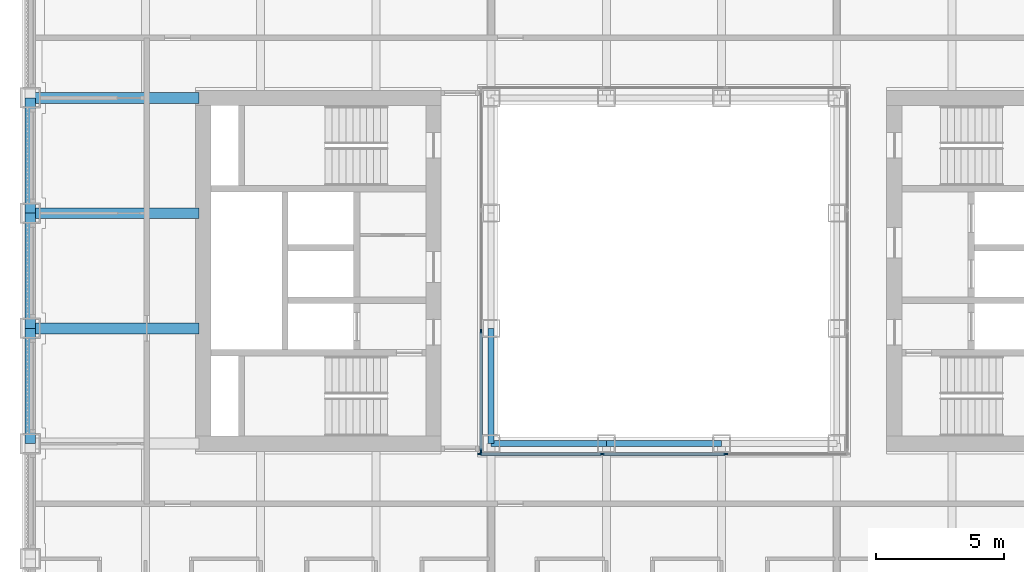
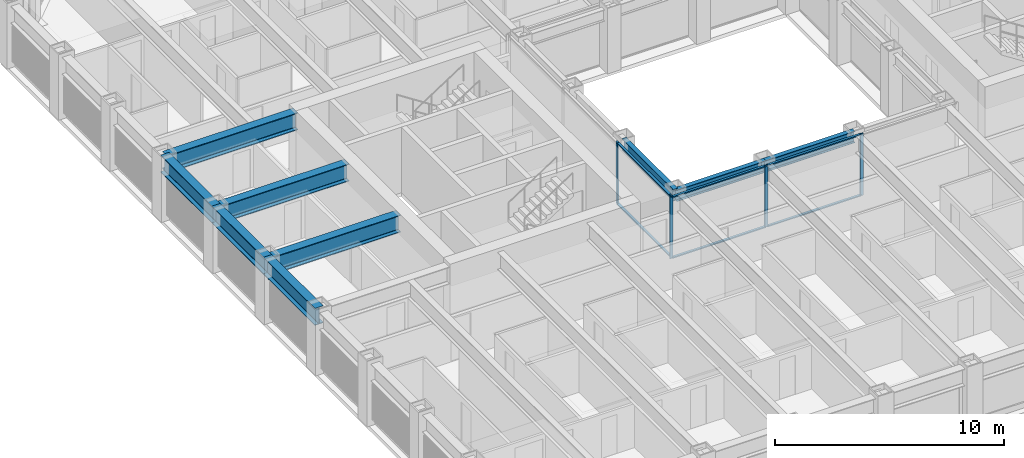
# One storey, part 3 of 21: 11 members, 9 beams, 2 elements without a shape of their own.
"""IFC4 building model written with IfcOpenShell, lengths in metres."""

from ifc_helpers import new_model, si_unit, direction, frame, origin, origin_2d, place, context, subcontext, project, spatial, rectangle, i_section, extrude, material, material_profile, profile_set, type_object, element, aggregate, save


model = new_model("IFC4")

# Units and contexts
model_context = context("Model", 3, precision=1e-05, world=origin(), true_north=direction((0.0, 1.0)))
body_context = subcontext(model_context, "Body", "Model", "MODEL_VIEW")
ifc_project = project(units=[si_unit("LENGTHUNIT", "METRE"), si_unit("AREAUNIT", "SQUARE_METRE"), si_unit("VOLUMEUNIT", "CUBIC_METRE"), si_unit("PLANEANGLEUNIT", "RADIAN"), si_unit("MASSUNIT", "GRAM", prefix="KILO")], contexts=[model_context])

# Site, building, storey
site_placement = place(None, origin())
site = spatial("IfcSite", under=ifc_project, at=site_placement, CompositionType="ELEMENT")
building_placement = place(site_placement, origin())
building = spatial("IfcBuilding", under=site, at=building_placement, Name="Msasa Ring Tower", CompositionType="ELEMENT")
storey_placement = place(building_placement, frame((0.0, 0.0, 96.5)))
storey = spatial("IfcBuildingStorey", under=building, at=storey_placement, Name="L25", CompositionType="ELEMENT", Elevation=96.5)

# Curtain wall, members
ifc_material_1 = material(Name="Aluminium curtain wall with clear glass", Category="aluminium")
curtain_wall_type = type_object("IfcCurtainWallType", Name="CW-W LIGHT WELL CURTAIN WALL", PredefinedType="NOTDEFINED", material=ifc_material_1)
curtain_wall_1_placement = place(storey_placement, origin())
curtain_wall_1 = element("IfcCurtainWall", 1, at=curtain_wall_1_placement, inside=storey, type_object=curtain_wall_type, Name="Light well curtain wall S L25", PredefinedType="NOTDEFINED")
ifc_material_2 = material(Name="Aluminium mullion", Category="aluminium")
ifc_material_profile_1 = material_profile(ifc_material_2, rectangle(XDim=0.06005859375, YDim=0.159912109375, at=origin_2d()), Name="AL 60x160")
ifc_profile_set_1 = profile_set([ifc_material_profile_1], Name="Aluminium mullion")
member_type_1 = type_object("IfcMemberType", Name="CW-W MULLION 60x160", PredefinedType="MULLION", material=ifc_profile_set_1)
member_1_placement = place(storey_placement, frame((-7.199951171875, -7.14990234375, 0.0), z_axis=(0.0, 0.0, 1.0), x_axis=(0.0, 1.0, 0.0)))
member_1 = element("IfcMember", 2, at=member_1_placement, type_object=member_type_1, Name="CW-W mullion 1", PredefinedType="MULLION", context=body_context, shape_type="SweptSolid", body=[
    extrude(rectangle(XDim=0.06005859375, YDim=0.159912109375, at=origin_2d()), origin(), (0.0, 0.0, 1.0), 3.300048828125),
])
member_2_placement = place(storey_placement, frame((-2.409912109375, -7.14990234375, 0.0), z_axis=(0.0, 0.0, 1.0), x_axis=(0.0, 1.0, 0.0)))
member_2 = element("IfcMember", 3, at=member_2_placement, type_object=member_type_1, Name="CW-W mullion 2", PredefinedType="MULLION", context=body_context, shape_type="SweptSolid", body=[
    extrude(rectangle(XDim=0.06005859375, YDim=0.159912109375, at=origin_2d()), origin(), (0.0, 0.0, 1.0), 3.300048828125),
])
member_3_placement = place(storey_placement, frame((2.409912109375, -7.14990234375, 0.0), z_axis=(0.0, 0.0, 1.0), x_axis=(0.0, 1.0, 0.0)))
member_3 = element("IfcMember", 4, at=member_3_placement, type_object=member_type_1, Name="CW-W mullion 3", PredefinedType="MULLION", context=body_context, shape_type="SweptSolid", body=[
    extrude(rectangle(XDim=0.06005859375, YDim=0.159912109375, at=origin_2d()), origin(), (0.0, 0.0, 1.0), 3.300048828125),
])

curtain_wall_2_placement = place(storey_placement, origin())
curtain_wall_2 = element("IfcCurtainWall", 5, at=curtain_wall_2_placement, inside=storey, type_object=curtain_wall_type, Name="Light well curtain wall W L25", PredefinedType="NOTDEFINED")
member_4_placement = place(storey_placement, frame((-7.14990234375, -7.0400390625, 0.0), z_axis=(0.0, 0.0, 1.0), x_axis=(-1.0, 0.0, 0.0)))
member_4 = element("IfcMember", 6, at=member_4_placement, type_object=member_type_1, Name="CW-W mullion 1", PredefinedType="MULLION", context=body_context, shape_type="SweptSolid", body=[
    extrude(rectangle(XDim=0.06005859375, YDim=0.159912109375, at=origin_2d()), origin(), (0.0, 0.0, 1.0), 3.300048828125),
])
member_5_placement = place(storey_placement, frame((-7.14990234375, -2.356689453125, 0.0), z_axis=(0.0, 0.0, 1.0), x_axis=(-1.0, 0.0, 0.0)))
member_5 = element("IfcMember", 7, at=member_5_placement, type_object=member_type_1, Name="CW-W mullion 2", PredefinedType="MULLION", context=body_context, shape_type="SweptSolid", body=[
    extrude(rectangle(XDim=0.06005859375, YDim=0.159912109375, at=origin_2d()), origin(), (0.0, 0.0, 1.0), 3.300048828125),
])

# Member
ifc_material_3 = material(Name="Aluminium transom", Category="aluminium")
ifc_material_profile_2 = material_profile(ifc_material_3, rectangle(XDim=0.1201171875, YDim=0.06005859375, at=origin_2d()), Name="AL 60x120")
ifc_profile_set_2 = profile_set([ifc_material_profile_2], Name="Aluminium transom")
member_type_2 = type_object("IfcMemberType", Name="CW-W TRANSOM 60x120", PredefinedType="USERDEFINED", material=ifc_profile_set_2)
member_6_placement = place(storey_placement, frame((-7.169921875, -7.14990234375, 0.030029296875), z_axis=(1.0, 0.0, 0.0), x_axis=(0.0, 1.0, 0.0)))
member_6 = element("IfcMember", 8, at=member_6_placement, type_object=member_type_2, Name="CW-W transom 1.1", ObjectType="TRANSOM", PredefinedType="USERDEFINED", context=body_context, shape_type="SweptSolid", body=[
    extrude(rectangle(XDim=0.1201171875, YDim=0.06005859375, at=origin_2d()), origin(), (0.0, 0.0, 1.0), 4.72998046875),
])

member_7_placement = place(storey_placement, frame((-7.169921875, -7.14990234375, 3.27001953125), z_axis=(1.0, 0.0, 0.0), x_axis=(0.0, 1.0, 0.0)))
member_7 = element("IfcMember", 9, at=member_7_placement, type_object=member_type_2, Name="CW-W transom 1.2", ObjectType="TRANSOM", PredefinedType="USERDEFINED", context=body_context, shape_type="SweptSolid", body=[
    extrude(rectangle(XDim=0.1201171875, YDim=0.06005859375, at=origin_2d()), origin(), (0.0, 0.0, 1.0), 4.72998046875),
])

member_8_placement = place(storey_placement, frame((-2.3798828125, -7.14990234375, 0.030029296875), z_axis=(1.0, 0.0, 0.0), x_axis=(0.0, 1.0, 0.0)))
member_8 = element("IfcMember", 10, at=member_8_placement, type_object=member_type_2, Name="CW-W transom 2.1", ObjectType="TRANSOM", PredefinedType="USERDEFINED", context=body_context, shape_type="SweptSolid", body=[
    extrude(rectangle(XDim=0.1201171875, YDim=0.06005859375, at=origin_2d()), origin(), (0.0, 0.0, 1.0), 4.759765625),
])

member_9_placement = place(storey_placement, frame((-2.3798828125, -7.14990234375, 3.27001953125), z_axis=(1.0, 0.0, 0.0), x_axis=(0.0, 1.0, 0.0)))
member_9 = element("IfcMember", 11, at=member_9_placement, type_object=member_type_2, Name="CW-W transom 2.2", ObjectType="TRANSOM", PredefinedType="USERDEFINED", context=body_context, shape_type="SweptSolid", body=[
    extrude(rectangle(XDim=0.1201171875, YDim=0.06005859375, at=origin_2d()), origin(), (0.0, 0.0, 1.0), 4.759765625),
])

aggregate(curtain_wall_1, [member_1, member_2, member_3, member_6, member_7, member_8, member_9])

member_10_placement = place(storey_placement, frame((-7.14990234375, -7.010009765625, 0.030029296875), z_axis=(0.0, 1.0, 0.0), x_axis=(-1.0, 0.0, 0.0)))
member_10 = element("IfcMember", 12, at=member_10_placement, type_object=member_type_2, Name="CW-W transom 1.1", ObjectType="TRANSOM", PredefinedType="USERDEFINED", context=body_context, shape_type="SweptSolid", body=[
    extrude(rectangle(XDim=0.1201171875, YDim=0.06005859375, at=origin_2d()), origin(), (0.0, 0.0, 1.0), 4.623291015625),
])

member_11_placement = place(storey_placement, frame((-7.14990234375, -7.010009765625, 3.27001953125), z_axis=(0.0, 1.0, 0.0), x_axis=(-1.0, 0.0, 0.0)))
member_11 = element("IfcMember", 13, at=member_11_placement, type_object=member_type_2, Name="CW-W transom 1.2", ObjectType="TRANSOM", PredefinedType="USERDEFINED", context=body_context, shape_type="SweptSolid", body=[
    extrude(rectangle(XDim=0.1201171875, YDim=0.06005859375, at=origin_2d()), origin(), (0.0, 0.0, 1.0), 4.623291015625),
])

aggregate(curtain_wall_2, [member_4, member_5, member_10, member_11])

# Beams
ifc_material_4 = material(Name="Steel S355", Category="steel")
ifc_material_profile_3 = material_profile(ifc_material_4, i_section(OverallWidth=0.42041015625, OverallDepth=0.9208984375, WebThickness=0.021484375, FlangeThickness=0.03662109375, FilletRadius=0.024169921875, at=origin_2d()), Name="UB 914x419x388")
ifc_profile_set_3 = profile_set([ifc_material_profile_3], Name="Steel S355")
beam_type_1 = type_object("IfcBeamType", Name="FB2 UB 914x419x388", PredefinedType="BEAM", material=ifc_profile_set_3)
for number, where, z_axis, x_axis, name in (
    (14, (-24.75, -2.25, 2.839599609375), (1.0, 0.0, 0.0), (0.0, 1.0, 0.0), "Floor beam W -2.25 under L26"),
    (15, (-24.75, 2.25, 2.839599609375), (1.0, 0.0, 0.0), (0.0, 1.0, 0.0), "Floor beam W +2.25 under L26"),
):
    element("IfcBeam", number, at=place(storey_placement, frame(where, z_axis=z_axis, x_axis=x_axis)), inside=storey, type_object=beam_type_1, Name=name, PredefinedType="BEAM", context=body_context, shape_type="SweptSolid", body=[
        extrude(i_section(OverallWidth=0.42041015625, OverallDepth=0.9208984375, WebThickness=0.021484375, FlangeThickness=0.03662109375, FilletRadius=0.024169921875, at=origin_2d()), origin(), (0.0, 0.0, 1.0), 6.60009765625),
    ])
ifc_material_5 = material(Name="Steel S355", Category="steel")
ifc_material_profile_4 = material_profile(ifc_material_5, i_section(OverallWidth=0.42041015625, OverallDepth=0.9208984375, WebThickness=0.021484375, FlangeThickness=0.03662109375, FilletRadius=0.024169921875, at=origin_2d()), Name="UB 914x419x388")
ifc_profile_set_4 = profile_set([ifc_material_profile_4], Name="Steel S355")
beam_type_2 = type_object("IfcBeamType", Name="GB1 UB 914x419x388", PredefinedType="BEAM", material=ifc_profile_set_4)
beam_placement = place(storey_placement, frame((-18.14990234375, 6.75, 2.839599609375), z_axis=(-1.0, 0.0, 0.0), x_axis=(0.0, -1.0, 0.0)))
element("IfcBeam", 16, at=beam_placement, inside=storey, type_object=beam_type_2, Name="Girder W +6.75 under L26", PredefinedType="BEAM", context=body_context, shape_type="SweptSolid", body=[
    extrude(i_section(OverallWidth=0.42041015625, OverallDepth=0.9208984375, WebThickness=0.021484375, FlangeThickness=0.03662109375, FilletRadius=0.024169921875, at=origin_2d()), origin(), (0.0, 0.0, 1.0), 6.60009765625),
])
ifc_material_6 = material(Name="Steel S355", Category="steel")
ifc_material_profile_5 = material_profile(ifc_material_6, i_section(OverallWidth=0.230224609375, OverallDepth=0.6171875, WebThickness=0.01318359375, FlangeThickness=0.022216796875, FilletRadius=0.0126953125, at=origin_2d()), Name="UB 610x229x140")
ifc_profile_set_5 = profile_set([ifc_material_profile_5], Name="Steel S355")
beam_type_3 = type_object("IfcBeamType", Name="RB1 UB 610x229x140", PredefinedType="BEAM", material=ifc_profile_set_5)
for number, where, z_axis, x_axis, name in (
    (17, (-6.75, -2.25, 2.991455078125), (0.0, -1.0, 0.0), (1.0, 0.0, 0.0), "Inner ring beam IR-6.75-2.25 under L26"),
    (18, (-6.75, -6.75, 2.991455078125), (1.0, 0.0, 0.0), (0.0, 1.0, 0.0), "Inner ring beam IR-6.75-6.75 under L26"),
    (19, (-2.25, -6.75, 2.991455078125), (1.0, 0.0, 0.0), (0.0, 1.0, 0.0), "Inner ring beam IR-2.25-6.75 under L26"),
):
    element("IfcBeam", number, at=place(storey_placement, frame(where, z_axis=z_axis, x_axis=x_axis)), inside=storey, type_object=beam_type_3, Name=name, PredefinedType="BEAM", context=body_context, shape_type="SweptSolid", body=[
        extrude(i_section(OverallWidth=0.230224609375, OverallDepth=0.6171875, WebThickness=0.01318359375, FlangeThickness=0.022216796875, FilletRadius=0.0126953125, at=origin_2d()), origin(), (0.0, 0.0, 1.0), 4.5),
    ])
ifc_material_7 = material(Name="Steel S355", Category="steel")
ifc_material_profile_6 = material_profile(ifc_material_7, i_section(OverallWidth=0.42041015625, OverallDepth=0.9208984375, WebThickness=0.021484375, FlangeThickness=0.03662109375, FilletRadius=0.024169921875, at=origin_2d()), Name="UB 914x419x388")
ifc_profile_set_6 = profile_set([ifc_material_profile_6], Name="Steel S355")
beam_type_4 = type_object("IfcBeamType", Name="SB1 UB 914x419x388", PredefinedType="SPANDREL", material=ifc_profile_set_6)
for number, where, z_axis, x_axis, name in (
    (20, (-24.75, -2.25, 2.839599609375), (0.0, -1.0, 0.0), (1.0, 0.0, 0.0), "Spandrel W-2.25 to W-6.75 under L26"),
    (21, (-24.75, 6.75, 2.839599609375), (0.0, -1.0, 0.0), (1.0, 0.0, 0.0), "Spandrel W+6.75 to W+2.25 under L26"),
    (22, (-24.75, 2.25, 2.839599609375), (0.0, -1.0, 0.0), (1.0, 0.0, 0.0), "Spandrel W+2.25 to W-2.25 under L26"),
):
    element("IfcBeam", number, at=place(storey_placement, frame(where, z_axis=z_axis, x_axis=x_axis)), inside=storey, type_object=beam_type_4, Name=name, PredefinedType="SPANDREL", context=body_context, shape_type="SweptSolid", body=[
        extrude(i_section(OverallWidth=0.42041015625, OverallDepth=0.9208984375, WebThickness=0.021484375, FlangeThickness=0.03662109375, FilletRadius=0.024169921875, at=origin_2d()), origin(), (0.0, 0.0, 1.0), 4.5),
    ])

save(model, "model.ifc")
